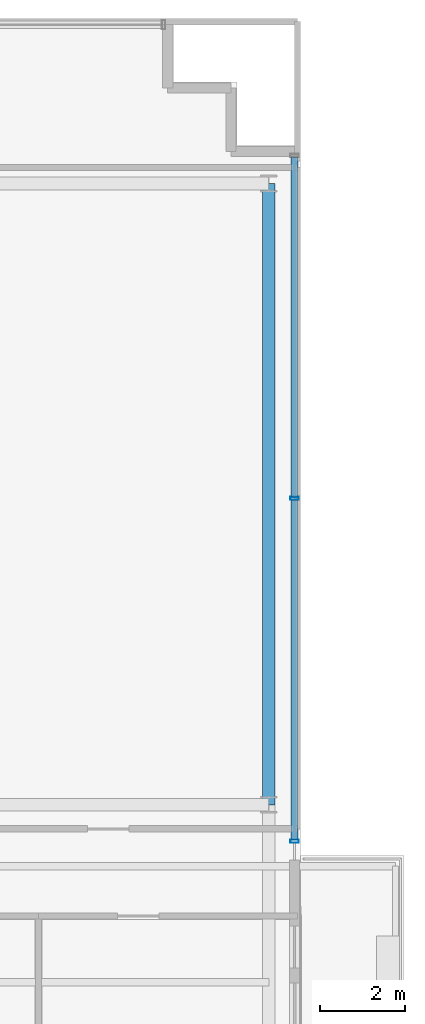
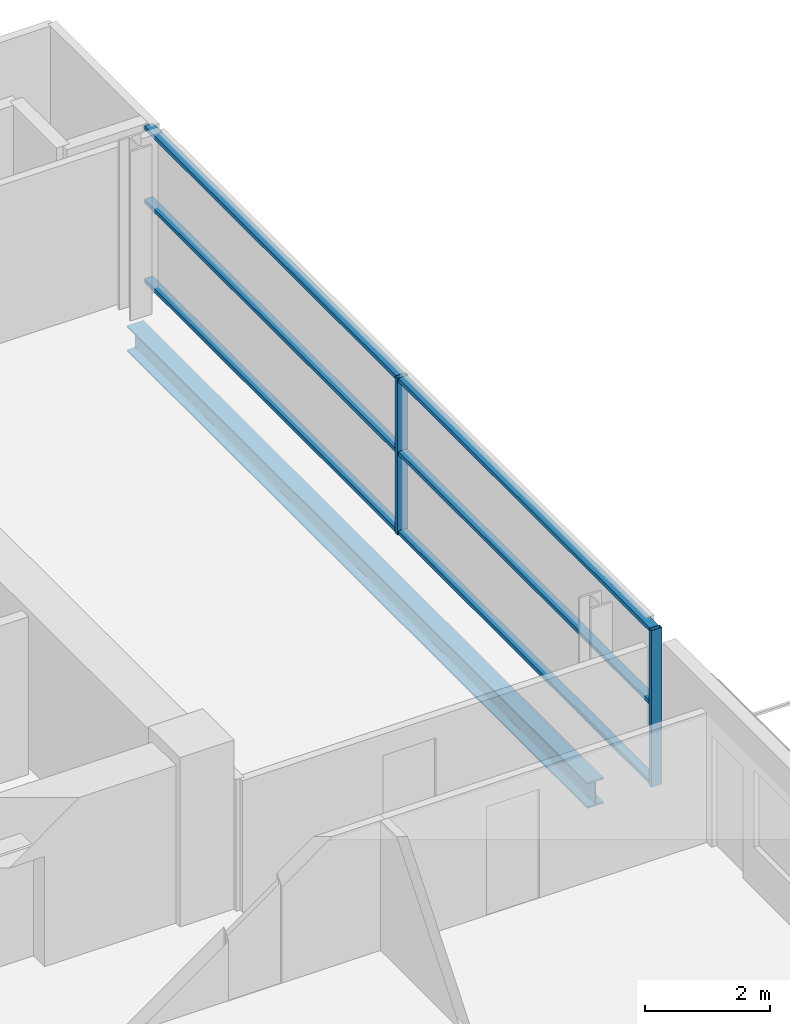
# One storey, part 12 of 25: 8 members, 1 beam, 1 element without a shape of its own.
"""IFC4 building model written with IfcOpenShell, lengths in metres."""

from ifc_helpers import new_model, si_unit, direction, frame, origin, origin_2d, place, context, subcontext, project, spatial, hollow_rectangle, i_section, extrude, source, transform, mapped, material, layer, layer_set, material_profile, profile_set, type_object, element, aggregate, save


model = new_model("IFC4")

# Units and contexts
model_context = context("Model", 3, precision=1e-05, world=origin(), true_north=direction((0.0, 1.0)))
body_context = subcontext(model_context, "Body", "Model", "MODEL_VIEW")
ifc_project = project(units=[si_unit("LENGTHUNIT", "METRE"), si_unit("AREAUNIT", "SQUARE_METRE"), si_unit("VOLUMEUNIT", "CUBIC_METRE"), si_unit("PLANEANGLEUNIT", "RADIAN"), si_unit("MASSUNIT", "GRAM", prefix="KILO")], contexts=[model_context])

# Site, building, storey
site_placement = place(None, origin())
site = spatial("IfcSite", under=ifc_project, at=site_placement, CompositionType="ELEMENT")
building_placement = place(site_placement, origin())
building = spatial("IfcBuilding", under=site, at=building_placement, Name="Zarnakvel Exchange Tower", CompositionType="ELEMENT")
storey_placement = place(building_placement, frame((0.0, 0.0, 156.10009765625)))
storey = spatial("IfcBuildingStorey", under=building, at=storey_placement, Name="L43", CompositionType="ELEMENT", Elevation=156.10009765625)

# Beam
ifc_material_1 = material(Name="Steel S355", Category="steel")
ifc_material_profile_1 = material_profile(ifc_material_1, i_section(OverallWidth=0.300048828125, OverallDepth=0.5, WebThickness=0.014404296875, FlangeThickness=0.028076171875, FilletRadius=0.027099609375, at=origin_2d()))
ifc_profile_set_1 = profile_set([ifc_material_profile_1], Name="Steel S355")
beam_type = type_object("IfcBeamType", Name="SP-02", PredefinedType="SPANDREL", material=ifc_profile_set_1)
beam_placement = place(storey_placement, frame((21.85009765625, -1.199951171875, -0.47509765625), z_axis=(0.0, 1.0, 0.0), x_axis=(-1.0, 0.0, 0.0)))
element("IfcBeam", 1, at=beam_placement, inside=storey, type_object=beam_type, Name="L43 Tower N-S Frame Beam", PredefinedType="SPANDREL", context=body_context, shape_type="SweptSolid", body=[
    extrude(i_section(OverallWidth=0.300048828125, OverallDepth=0.5, WebThickness=0.014404296875, FlangeThickness=0.028076171875, FilletRadius=0.027099609375, at=origin_2d()), origin(), (0.0, 0.0, 1.0), 14.699951171875),
])

# Curtain wall, members
ifc_material_2 = material(Name="Architectural Bronze Anodised Aluminium", Category="aluminium")
ifc_layer = layer(ifc_material_2, 0.199951171875)
ifc_layer_set = layer_set([ifc_layer], Name="Architectural Bronze Anodised Aluminium")
curtain_wall_type = type_object("IfcCurtainWallType", Name="CW-04", PredefinedType="NOTDEFINED", material=ifc_layer_set)
curtain_wall_placement = place(storey_placement, origin())
curtain_wall = element("IfcCurtainWall", 2, at=curtain_wall_placement, inside=storey, type_object=curtain_wall_type, Name="L43 Curtain Wall CW-L43-EN (CW-04)", PredefinedType="NOTDEFINED")
ifc_material_profile_2 = material_profile(ifc_material_2, hollow_rectangle(XDim=0.199951171875, YDim=0.074951171875, WallThickness=0.0048828125, at=origin_2d()))
ifc_profile_set_2 = profile_set([ifc_material_profile_2], Name="Architectural Bronze Anodised Aluminium")
member_type_1 = type_object("IfcMemberType", Name="CWM-04", PredefinedType="MULLION", material=ifc_profile_set_2)
shared_shape_1 = source(origin(), body_context, "Body", "SweptSolid", [
    extrude(hollow_rectangle(XDim=0.199951171875, YDim=0.074951171875, WallThickness=0.0048828125, at=origin_2d()), origin(), (0.0, 0.0, 1.0), 3.054931640625),
])
member_1_placement = place(storey_placement, frame((22.4599609375, -2.0625, 0.0), z_axis=(0.0, 0.0, 1.0), x_axis=(-1.0, 0.0, 0.0)))
member_1 = element("IfcMember", 3, at=member_1_placement, type_object=member_type_1, Name="CW-04 mullion 1", PredefinedType="MULLION", context=body_context, shape_type="MappedRepresentation", body=[
    mapped(shared_shape_1, transform((0.0, 0.0, 0.0), x_axis=(1.0, 0.0, 0.0), y_axis=(0.0, 1.0, 0.0), z_axis=(0.0, 0.0, 1.0), scale=1.0)),
])
member_2_placement = place(storey_placement, frame((22.4599609375, 6.050048828125, 0.0), z_axis=(0.0, 0.0, 1.0), x_axis=(-1.0, 0.0, 0.0)))
member_2 = element("IfcMember", 4, at=member_2_placement, type_object=member_type_1, Name="CW-04 mullion 2", PredefinedType="MULLION", context=body_context, shape_type="MappedRepresentation", body=[
    mapped(shared_shape_1, transform((0.0, 0.0, 0.0), x_axis=(1.0, 0.0, 0.0), y_axis=(0.0, 1.0, 0.0), z_axis=(0.0, 0.0, 1.0), scale=1.0)),
])
ifc_material_profile_3 = material_profile(ifc_material_2, hollow_rectangle(XDim=0.159912109375, YDim=0.074951171875, WallThickness=0.00390625, at=origin_2d()))
ifc_profile_set_3 = profile_set([ifc_material_profile_3], Name="Architectural Bronze Anodised Aluminium")
member_type_2 = type_object("IfcMemberType", Name="CWT-04", PredefinedType="USERDEFINED", material=ifc_profile_set_3)
shared_shape_2 = source(origin(), body_context, "Body", "SweptSolid", [
    extrude(hollow_rectangle(XDim=0.159912109375, YDim=0.074951171875, WallThickness=0.00390625, at=origin_2d()), origin(), (0.0, 0.0, 1.0), 8.037353515625),
])
member_3_placement = place(storey_placement, frame((22.4599609375, -2.02490234375, 0.037353515625), z_axis=(0.0, 1.0, 0.0), x_axis=(-1.0, 0.0, 0.0)))
member_3 = element("IfcMember", 5, at=member_3_placement, type_object=member_type_2, Name="CW-04 transom 1.1", ObjectType="TRANSOM", PredefinedType="USERDEFINED", context=body_context, shape_type="MappedRepresentation", body=[
    mapped(shared_shape_2, transform((0.0, 0.0, 0.0), x_axis=(1.0, 0.0, 0.0), y_axis=(0.0, 1.0, 0.0), z_axis=(0.0, 0.0, 1.0), scale=1.0)),
])
member_4_placement = place(storey_placement, frame((22.4599609375, -2.02490234375, 1.588623046875), z_axis=(0.0, 1.0, 0.0), x_axis=(-1.0, 0.0, 0.0)))
member_4 = element("IfcMember", 6, at=member_4_placement, type_object=member_type_2, Name="CW-04 transom 1.2", ObjectType="TRANSOM", PredefinedType="USERDEFINED", context=body_context, shape_type="MappedRepresentation", body=[
    mapped(shared_shape_2, transform((0.0, 0.0, 0.0), x_axis=(1.0, 0.0, 0.0), y_axis=(0.0, 1.0, 0.0), z_axis=(0.0, 0.0, 1.0), scale=1.0)),
])
member_5_placement = place(storey_placement, frame((22.4599609375, -2.02490234375, 3.017333984375), z_axis=(0.0, 1.0, 0.0), x_axis=(-1.0, 0.0, 0.0)))
member_5 = element("IfcMember", 7, at=member_5_placement, type_object=member_type_2, Name="CW-04 transom 1.3", ObjectType="TRANSOM", PredefinedType="USERDEFINED", context=body_context, shape_type="MappedRepresentation", body=[
    mapped(shared_shape_2, transform((0.0, 0.0, 0.0), x_axis=(1.0, 0.0, 0.0), y_axis=(0.0, 1.0, 0.0), z_axis=(0.0, 0.0, 1.0), scale=1.0)),
])
shared_shape_3 = source(origin(), body_context, "Body", "SweptSolid", [
    extrude(hollow_rectangle(XDim=0.159912109375, YDim=0.074951171875, WallThickness=0.00390625, at=origin_2d()), origin(), (0.0, 0.0, 1.0), 8.03759765625),
])
member_6_placement = place(storey_placement, frame((22.4599609375, 6.08740234375, 0.037353515625), z_axis=(0.0, 1.0, 0.0), x_axis=(-1.0, 0.0, 0.0)))
member_6 = element("IfcMember", 8, at=member_6_placement, type_object=member_type_2, Name="CW-04 transom 2.1", ObjectType="TRANSOM", PredefinedType="USERDEFINED", context=body_context, shape_type="MappedRepresentation", body=[
    mapped(shared_shape_3, transform((0.0, 0.0, 0.0), x_axis=(1.0, 0.0, 0.0), y_axis=(0.0, 1.0, 0.0), z_axis=(0.0, 0.0, 1.0), scale=1.0)),
])
member_7_placement = place(storey_placement, frame((22.4599609375, 6.08740234375, 1.588623046875), z_axis=(0.0, 1.0, 0.0), x_axis=(-1.0, 0.0, 0.0)))
member_7 = element("IfcMember", 9, at=member_7_placement, type_object=member_type_2, Name="CW-04 transom 2.2", ObjectType="TRANSOM", PredefinedType="USERDEFINED", context=body_context, shape_type="MappedRepresentation", body=[
    mapped(shared_shape_3, transform((0.0, 0.0, 0.0), x_axis=(1.0, 0.0, 0.0), y_axis=(0.0, 1.0, 0.0), z_axis=(0.0, 0.0, 1.0), scale=1.0)),
])
member_8_placement = place(storey_placement, frame((22.4599609375, 6.08740234375, 3.017333984375), z_axis=(0.0, 1.0, 0.0), x_axis=(-1.0, 0.0, 0.0)))
member_8 = element("IfcMember", 10, at=member_8_placement, type_object=member_type_2, Name="CW-04 transom 2.3", ObjectType="TRANSOM", PredefinedType="USERDEFINED", context=body_context, shape_type="MappedRepresentation", body=[
    mapped(shared_shape_3, transform((0.0, 0.0, 0.0), x_axis=(1.0, 0.0, 0.0), y_axis=(0.0, 1.0, 0.0), z_axis=(0.0, 0.0, 1.0), scale=1.0)),
])
aggregate(curtain_wall, [member_1, member_2, member_3, member_4, member_5, member_6, member_7, member_8])

save(model, "model.ifc")
